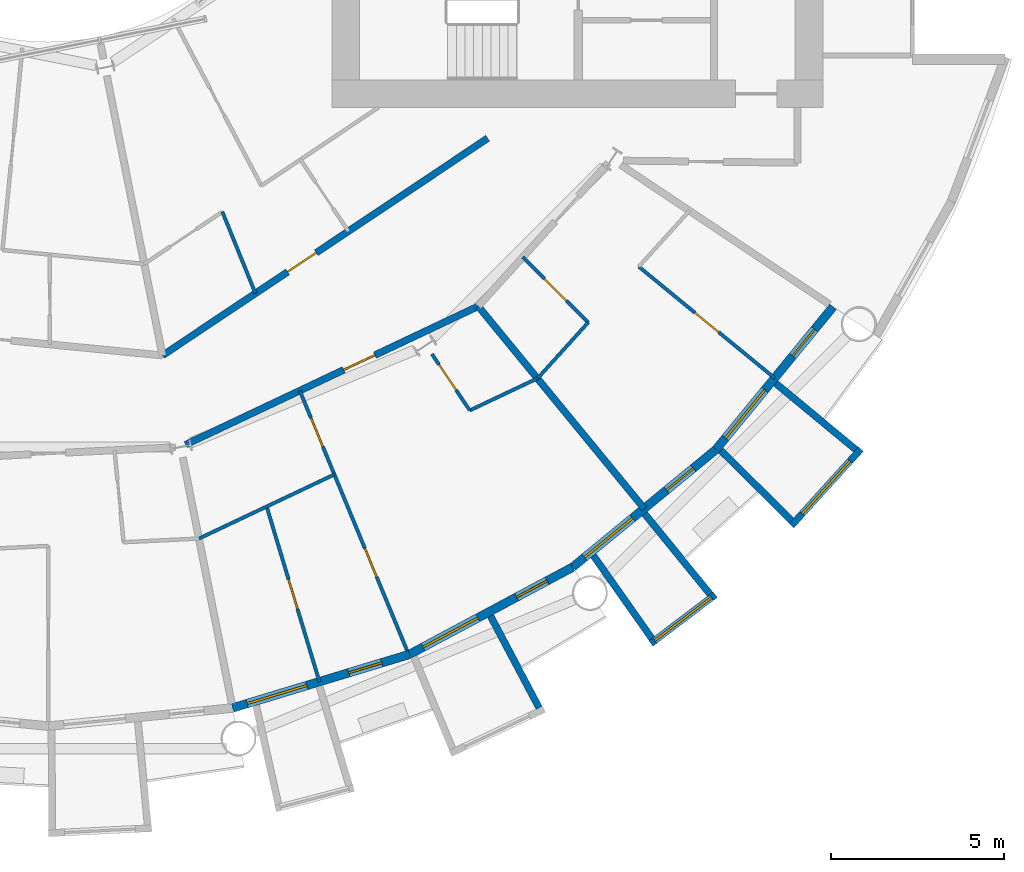
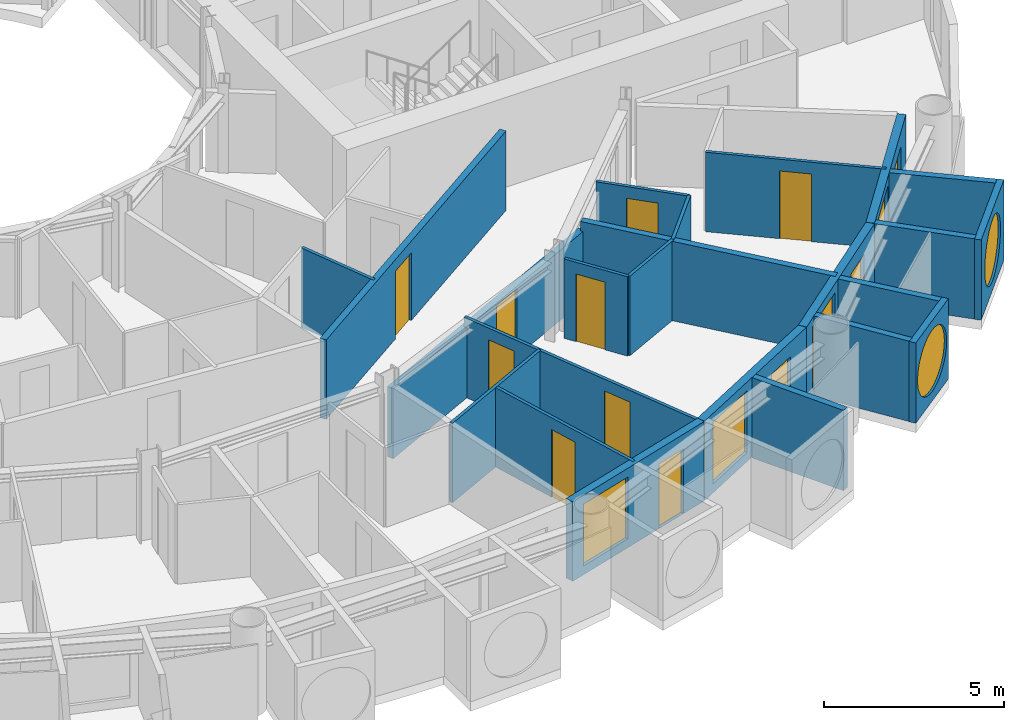
# One storey, part 16 of 26: 23 walls, 12 doors, 6 windows, 18 openings.
"""IFC4 building model written with IfcOpenShell, lengths in metres."""

from ifc_helpers import new_model, si_unit, direction, frame, frame_2d, origin, place, context, subcontext, project, spatial, rectangle, circle, extrude, material, layer, layer_set, type_object, element, fill, save


model = new_model("IFC4")

# Units and contexts
model_context = context("Model", 3, precision=1e-05, world=origin(), true_north=direction((0.0, 1.0)))
body_context = subcontext(model_context, "Body", "Model", "MODEL_VIEW")
ifc_project = project(units=[si_unit("LENGTHUNIT", "METRE"), si_unit("AREAUNIT", "SQUARE_METRE"), si_unit("VOLUMEUNIT", "CUBIC_METRE"), si_unit("PLANEANGLEUNIT", "RADIAN"), si_unit("MASSUNIT", "GRAM", prefix="KILO")], contexts=[model_context])

# Site, building, storey
site_placement = place(None, origin())
site = spatial("IfcSite", under=ifc_project, at=site_placement, CompositionType="ELEMENT")
building_placement = place(site_placement, origin())
building = spatial("IfcBuilding", under=site, at=building_placement, Name="Maasbend Ring Residences", CompositionType="ELEMENT")
storey_placement = place(building_placement, frame((0.0, 0.0, 25.85009765625)))
storey = spatial("IfcBuildingStorey", under=building, at=storey_placement, Name="L06", CompositionType="ELEMENT", Elevation=25.85009765625)

# Wall, opening, door
ifc_material_1 = material(Name="Concrete C30/37", Category="concrete")
ifc_layer_1 = layer(ifc_material_1, 0.199951171875)
ifc_layer_set_1 = layer_set([ifc_layer_1], Name="Concrete C30/37")
wall_type_1 = type_object("IfcWallType", Name="CORRIDOR WALL 200 CONCRETE", PredefinedType="PARTITIONING", material=ifc_layer_set_1)
wall_1_placement = place(storey_placement, frame((3.966064453125, -19.156005859375, 0.0), z_axis=(0.0, 0.0, 1.0), x_axis=(0.90398275529, 0.427568916244, 0.0)))
wall_1 = element("IfcWall", 1, at=wall_1_placement, inside=storey, type_object=wall_type_1, Name="U-L06-w017", PredefinedType="PARTITIONING", context=body_context, shape_type="SweptSolid", body=[
    extrude(rectangle(XDim=9.371826171875, YDim=0.199951171875, at=frame_2d((4.68603515625, 0.0))), origin(), (0.0, 0.0, 1.0), 2.3798828125),
])
opening_1_placement = place(wall_1_placement, frame((5.05810546875, 0.0, 0.0)))
opening_1 = element("IfcOpeningElement", 2, at=opening_1_placement, cuts=wall_1, Name="Opening D-0645", PredefinedType="OPENING", context=body_context, shape_type="SweptSolid", body=[
    extrude(rectangle(XDim=1.0, YDim=2.300048828125, at=frame_2d((0.5, 1.14990234375))), frame((0.0, 0.10986328125, 0.0), z_axis=(0.0, -1.0, 0.0), x_axis=(1.0, 0.0, 0.0)), (0.0, 0.0, 1.0), 0.219970703125),
])
ifc_material_2 = material(Name="Timber, fire-rated, painted", Category="wood")
door_type_1 = type_object("IfcDoorType", Name="FLAT ENTRANCE DOOR 1000 X 2300 FIRE-RATED", OperationType="NOTDEFINED", PredefinedType="DOOR", material=ifc_material_2)
door_1_placement = place(opening_1_placement, origin())
door_1 = element("IfcDoor", 3, at=door_1_placement, inside=storey, type_object=door_type_1, Name="D-0645", OperationType="SINGLE_SWING_RIGHT", OverallHeight=2.300048828125, OverallWidth=1.0, PredefinedType="DOOR", context=body_context, shape_type="SweptSolid", body=[
    extrude(rectangle(XDim=1.0, YDim=2.300048828125, at=frame_2d((0.5, 1.14990234375))), frame((0.0, 0.02490234375, 0.0), z_axis=(0.0, -1.0, 0.0), x_axis=(1.0, 0.0, 0.0)), (0.0, 0.0, 1.0), 0.050048828125),
])
fill(opening_1, door_1)

wall_2_placement = place(storey_placement, frame((3.297119140625, -16.574951171875, 0.0), z_axis=(0.0, 0.0, 1.0), x_axis=(0.83154870872, 0.55545183862, 0.0)))
wall_2 = element("IfcWall", 4, at=wall_2_placement, inside=storey, type_object=wall_type_1, Name="U-L06-w020", PredefinedType="PARTITIONING", context=body_context, shape_type="SweptSolid", body=[
    extrude(rectangle(XDim=11.31494140625, YDim=0.199951171875, at=frame_2d((5.657470703125, 0.0))), origin(), (0.0, 0.0, 1.0), 2.699951171875),
])
opening_2_placement = place(wall_2_placement, frame((4.35205078125, 0.0, 0.0)))
opening_2 = element("IfcOpeningElement", 5, at=opening_2_placement, cuts=wall_2, Name="Opening D-0661", PredefinedType="OPENING", context=body_context, shape_type="SweptSolid", body=[
    extrude(rectangle(XDim=1.0, YDim=2.300048828125, at=frame_2d((0.5, 1.14990234375))), frame((0.0, 0.10986328125, 0.0), z_axis=(0.0, -1.0, 0.0), x_axis=(1.0, 0.0, 0.0)), (0.0, 0.0, 1.0), 0.219970703125),
])
door_2_placement = place(opening_2_placement, origin())
door_2 = element("IfcDoor", 6, at=door_2_placement, inside=storey, type_object=door_type_1, Name="D-0661", OperationType="SINGLE_SWING_LEFT", OverallHeight=2.300048828125, OverallWidth=1.0, PredefinedType="DOOR", context=body_context, shape_type="SweptSolid", body=[
    extrude(rectangle(XDim=1.0, YDim=2.300048828125, at=frame_2d((0.5, 1.14990234375))), frame((0.0, 0.02490234375, 0.0), z_axis=(0.0, -1.0, 0.0), x_axis=(1.0, 0.0, 0.0)), (0.0, 0.0, 1.0), 0.050048828125),
])
fill(opening_2, door_2)

# Wall
ifc_material_3 = material(Name="Pale anodised aluminium panel", Category="aluminium")
ifc_layer_2 = layer(ifc_material_3, 0.199951171875)
ifc_layer_set_2 = layer_set([ifc_layer_2], Name="EW-BOX")
wall_type_2 = type_object("IfcWallType", Name="EW-BOX", PredefinedType="SOLIDWALL", material=ifc_layer_set_2)
wall_3_placement = place(storey_placement, frame((12.787109375, -24.113037109375, -0.030029296875), z_axis=(0.0, 0.0, 1.0), x_axis=(0.468365282436, -0.883534924159, 0.0)))
element("IfcWall", 7, at=wall_3_placement, inside=storey, type_object=wall_type_2, Name="Box side wall S15 right", PredefinedType="SOLIDWALL", context=body_context, shape_type="SweptSolid", body=[
    extrude(rectangle(XDim=3.006103515625, YDim=0.199951171875, at=frame_2d((1.5029296875, 0.0))), origin(), (0.0, 0.0, 1.0), 2.72998046875),
])

# Wall, opening, window
wall_4_placement = place(storey_placement, frame((17.427001953125, -24.908935546875, -0.030029296875), z_axis=(0.0, 0.0, 1.0), x_axis=(0.796842165306, 0.60418752353, 0.0)))
wall_4 = element("IfcWall", 8, at=wall_4_placement, inside=storey, type_object=wall_type_2, Name="Box front S17", PredefinedType="SOLIDWALL", context=body_context, shape_type="SweptSolid", body=[
    extrude(rectangle(XDim=2.3369140625, YDim=0.199951171875, at=frame_2d((1.16845703125, 0.0))), origin(), (0.0, 0.0, 1.0), 2.72998046875),
])
opening_3_placement = place(wall_4_placement, frame((0.128173828125, 0.0, 0.330078125)))
opening_3 = element("IfcOpeningElement", 9, at=opening_3_placement, cuts=wall_4, Name="Opening W-RD", PredefinedType="OPENING", context=body_context, shape_type="SweptSolid", body=[
    extrude(circle(Radius=1.0400390625, at=frame_2d((1.0400390625, 1.0400390625))), frame((0.0, 0.10986328125, 0.0), z_axis=(0.0, -1.0, 0.0), x_axis=(1.0, 0.0, 0.0)), (0.0, 0.0, 1.0), 0.219970703125),
])
ifc_material_4 = material(Name="Aluminium and clear glass", Category="aluminium")
window_type_1 = type_object("IfcWindowType", Name="W-RD", PartitioningType="SINGLE_PANEL", PredefinedType="WINDOW", material=ifc_material_4)
window_1_placement = place(opening_3_placement, origin())
window_1 = element("IfcWindow", 10, at=window_1_placement, inside=storey, type_object=window_type_1, Name="Round window S17", OverallHeight=2.080078125, OverallWidth=2.080078125, PartitioningType="SINGLE_PANEL", PredefinedType="WINDOW", context=body_context, shape_type="SweptSolid", body=[
    extrude(circle(Radius=1.0400390625, at=frame_2d((1.0400390625, 1.0400390625))), frame((0.0, 0.030029296875, 0.0), z_axis=(0.0, -1.0, 0.0), x_axis=(1.0, 0.0, 0.0)), (0.0, 0.0, 1.0), 0.06005859375),
])
fill(opening_3, window_1)

# Walls
wall_5_placement = place(storey_placement, frame((15.764892578125, -22.3701171875, -0.030029296875), z_axis=(0.0, 0.0, 1.0), x_axis=(0.576274612209, -0.817256123454, 0.0)))
element("IfcWall", 11, at=wall_5_placement, inside=storey, type_object=wall_type_2, Name="Box side wall S17 left", PredefinedType="SOLIDWALL", context=body_context, shape_type="SweptSolid", body=[
    extrude(rectangle(XDim=2.932861328125, YDim=0.199951171875, at=frame_2d((1.46630859375, 0.0))), origin(), (0.0, 0.0, 1.0), 2.72998046875),
])
wall_6_placement = place(storey_placement, frame((17.24609375, -21.155029296875, -0.030029296875), z_axis=(0.0, 0.0, 1.0), x_axis=(0.631741648902, -0.775179004516, 0.0)))
element("IfcWall", 12, at=wall_6_placement, inside=storey, type_object=wall_type_2, Name="Box side wall S17 right", PredefinedType="SOLIDWALL", context=body_context, shape_type="SweptSolid", body=[
    extrude(rectangle(XDim=3.005859375, YDim=0.199951171875, at=frame_2d((1.5029296875, 0.0))), origin(), (0.0, 0.0, 1.0), 2.72998046875),
])

# Wall, opening, window
wall_7_placement = place(storey_placement, frame((21.492919921875, -21.5, -0.030029296875), z_axis=(0.0, 0.0, 1.0), x_axis=(0.671506829416, 0.740998365753, 0.0)))
wall_7 = element("IfcWall", 13, at=wall_7_placement, inside=storey, type_object=wall_type_2, Name="Box front S19", PredefinedType="SOLIDWALL", context=body_context, shape_type="SweptSolid", body=[
    extrude(rectangle(XDim=2.9931640625, YDim=0.199951171875, at=frame_2d((1.49658203125, 0.0))), origin(), (0.0, 0.0, 1.0), 2.72998046875),
])
opening_4_placement = place(wall_7_placement, frame((0.45654296875, 0.0, 0.330078125)))
opening_4 = element("IfcOpeningElement", 14, at=opening_4_placement, cuts=wall_7, Name="Opening W-RD", PredefinedType="OPENING", context=body_context, shape_type="SweptSolid", body=[
    extrude(circle(Radius=1.0400390625, at=frame_2d((1.0400390625, 1.0400390625))), frame((0.0, 0.10986328125, 0.0), z_axis=(0.0, -1.0, 0.0), x_axis=(1.0, 0.0, 0.0)), (0.0, 0.0, 1.0), 0.219970703125),
])
window_2_placement = place(opening_4_placement, origin())
window_2 = element("IfcWindow", 15, at=window_2_placement, inside=storey, type_object=window_type_1, Name="Round window S19", OverallHeight=2.080078125, OverallWidth=2.080078125, PartitioningType="SINGLE_PANEL", PredefinedType="WINDOW", context=body_context, shape_type="SweptSolid", body=[
    extrude(circle(Radius=1.0400390625, at=frame_2d((1.0400390625, 1.0400390625))), frame((0.0, 0.030029296875, 0.0), z_axis=(0.0, -1.0, 0.0), x_axis=(1.0, 0.0, 0.0)), (0.0, 0.0, 1.0), 0.06005859375),
])
fill(opening_4, window_2)

# Walls
wall_8_placement = place(storey_placement, frame((19.449951171875, -19.322998046875, -0.030029296875), z_axis=(0.0, 0.0, 1.0), x_axis=(0.709727076896, -0.704476739375, 0.0)))
element("IfcWall", 16, at=wall_8_placement, inside=storey, type_object=wall_type_2, Name="Box side wall S19 left", PredefinedType="SOLIDWALL", context=body_context, shape_type="SweptSolid", body=[
    extrude(rectangle(XDim=2.883056640625, YDim=0.199951171875, at=frame_2d((1.44140625, 0.0))), origin(), (0.0, 0.0, 1.0), 2.72998046875),
])
wall_9_placement = place(storey_placement, frame((21.041015625, -17.384033203125, -0.030029296875), z_axis=(0.0, 0.0, 1.0), x_axis=(0.770784861449, -0.63709551667, 0.0)))
element("IfcWall", 17, at=wall_9_placement, inside=storey, type_object=wall_type_2, Name="Box side wall S19 right", PredefinedType="SOLIDWALL", context=body_context, shape_type="SweptSolid", body=[
    extrude(rectangle(XDim=3.005859375, YDim=0.199951171875, at=frame_2d((1.5029296875, 0.0))), origin(), (0.0, 0.0, 1.0), 2.72998046875),
])

# Wall, openings, door, window
ifc_material_5 = material(Name="Aluminium clad insulated panel", Category="aluminium")
ifc_layer_3 = layer(ifc_material_5, 0.25)
ifc_layer_set_3 = layer_set([ifc_layer_3], Name="EW-GL")
wall_type_3 = type_object("IfcWallType", Name="EW-GL", PredefinedType="SOLIDWALL", material=ifc_layer_set_3)
wall_10_placement = place(storey_placement, frame((5.325927734375, -26.77490234375, 0.0), z_axis=(0.0, 0.0, 1.0), x_axis=(0.956965678721, 0.290201119486, 0.0)))
wall_10 = element("IfcWall", 18, at=wall_10_placement, inside=storey, type_object=wall_type_3, Name="External wall S07", PredefinedType="SOLIDWALL", context=body_context, shape_type="SweptSolid", body=[
    extrude(rectangle(XDim=5.351318359375, YDim=0.25, at=frame_2d((2.67578125, 0.0))), origin(), (0.0, 0.0, 1.0), 2.699951171875),
])
opening_5_placement = place(wall_10_placement, frame((0.441162109375, 0.0, 0.300048828125)))
opening_5 = element("IfcOpeningElement", 19, at=opening_5_placement, cuts=wall_10, Name="Opening W-BX", PredefinedType="OPENING", context=body_context, shape_type="SweptSolid", body=[
    extrude(rectangle(XDim=1.800048828125, YDim=2.10009765625, at=frame_2d((0.89990234375, 1.050048828125))), frame((0.0, 0.135009765625, 0.0), z_axis=(0.0, -1.0, 0.0), x_axis=(1.0, 0.0, 0.0)), (0.0, 0.0, 1.0), 0.27001953125),
])
opening_6_placement = place(wall_10_placement, frame((3.510498046875, 0.0, 0.0)))
opening_6 = element("IfcOpeningElement", 20, at=opening_6_placement, cuts=wall_10, Name="Opening D-LG", PredefinedType="OPENING", context=body_context, shape_type="SweptSolid", body=[
    extrude(rectangle(XDim=1.0, YDim=2.199951171875, at=frame_2d((0.5, 1.10009765625))), frame((0.0, 0.135009765625, 0.0), z_axis=(0.0, -1.0, 0.0), x_axis=(1.0, 0.0, 0.0)), (0.0, 0.0, 1.0), 0.27001953125),
])
ifc_material_6 = material(Name="Aluminium and clear glass", Category="aluminium")
door_type_2 = type_object("IfcDoorType", Name="D-LG", OperationType="SINGLE_SWING_LEFT", PredefinedType="DOOR", material=ifc_material_6)
door_3_placement = place(opening_6_placement, origin())
door_3 = element("IfcDoor", 21, at=door_3_placement, inside=storey, type_object=door_type_2, Name="Loggia door S14", OperationType="SINGLE_SWING_LEFT", OverallHeight=2.199951171875, OverallWidth=1.0, PredefinedType="DOOR", context=body_context, shape_type="SweptSolid", body=[
    extrude(rectangle(XDim=1.0, YDim=2.199951171875, at=frame_2d((0.5, 1.10009765625))), frame((0.0, 0.02490234375, 0.0), z_axis=(0.0, -1.0, 0.0), x_axis=(1.0, 0.0, 0.0)), (0.0, 0.0, 1.0), 0.050048828125),
])
fill(opening_6, door_3)
ifc_material_7 = material(Name="Aluminium and clear glass", Category="aluminium")
window_type_2 = type_object("IfcWindowType", Name="W-BX", PartitioningType="DOUBLE_PANEL_VERTICAL", PredefinedType="WINDOW", material=ifc_material_7)
window_3_placement = place(opening_5_placement, origin())
window_3 = element("IfcWindow", 22, at=window_3_placement, inside=storey, type_object=window_type_2, Name="Window S13 room to box", OverallHeight=2.10009765625, OverallWidth=1.800048828125, PartitioningType="SINGLE_PANEL", PredefinedType="WINDOW", context=body_context, shape_type="SweptSolid", body=[
    extrude(rectangle(XDim=1.800048828125, YDim=2.10009765625, at=frame_2d((0.89990234375, 1.050048828125))), frame((0.0, 0.030029296875, 0.0), z_axis=(0.0, -1.0, 0.0), x_axis=(1.0, 0.0, 0.0)), (0.0, 0.0, 1.0), 0.06005859375),
])
fill(opening_5, window_3)

wall_11_placement = place(storey_placement, frame((10.447021484375, -25.221923828125, 0.0), z_axis=(0.0, 0.0, 1.0), x_axis=(0.881915646801, 0.471407246368, 0.0)))
wall_11 = element("IfcWall", 23, at=wall_11_placement, inside=storey, type_object=wall_type_3, Name="External wall S08", PredefinedType="SOLIDWALL", context=body_context, shape_type="SweptSolid", body=[
    extrude(rectangle(XDim=5.35205078125, YDim=0.25, at=frame_2d((2.676025390625, 0.0))), origin(), (0.0, 0.0, 1.0), 2.699951171875),
])
opening_7_placement = place(wall_11_placement, frame((0.441162109375, 0.0, 0.300048828125)))
opening_7 = element("IfcOpeningElement", 24, at=opening_7_placement, cuts=wall_11, Name="Opening W-BX", PredefinedType="OPENING", context=body_context, shape_type="SweptSolid", body=[
    extrude(rectangle(XDim=1.800048828125, YDim=2.10009765625, at=frame_2d((0.89990234375, 1.050048828125))), frame((0.0, 0.135009765625, 0.0), z_axis=(0.0, -1.0, 0.0), x_axis=(1.0, 0.0, 0.0)), (0.0, 0.0, 1.0), 0.27001953125),
])
opening_8_placement = place(wall_11_placement, frame((3.510498046875, 0.0, 0.0)))
opening_8 = element("IfcOpeningElement", 25, at=opening_8_placement, cuts=wall_11, Name="Opening D-LG", PredefinedType="OPENING", context=body_context, shape_type="SweptSolid", body=[
    extrude(rectangle(XDim=1.0, YDim=2.199951171875, at=frame_2d((0.5, 1.10009765625))), frame((0.0, 0.135009765625, 0.0), z_axis=(0.0, -1.0, 0.0), x_axis=(1.0, 0.0, 0.0)), (0.0, 0.0, 1.0), 0.27001953125),
])
door_4_placement = place(opening_8_placement, origin())
door_4 = element("IfcDoor", 26, at=door_4_placement, inside=storey, type_object=door_type_2, Name="Loggia door S16", OperationType="SINGLE_SWING_LEFT", OverallHeight=2.199951171875, OverallWidth=1.0, PredefinedType="DOOR", context=body_context, shape_type="SweptSolid", body=[
    extrude(rectangle(XDim=1.0, YDim=2.199951171875, at=frame_2d((0.5, 1.10009765625))), frame((0.0, 0.02490234375, 0.0), z_axis=(0.0, -1.0, 0.0), x_axis=(1.0, 0.0, 0.0)), (0.0, 0.0, 1.0), 0.050048828125),
])
fill(opening_8, door_4)
window_4_placement = place(opening_7_placement, origin())
window_4 = element("IfcWindow", 27, at=window_4_placement, inside=storey, type_object=window_type_2, Name="Window S15 room to box", OverallHeight=2.10009765625, OverallWidth=1.800048828125, PartitioningType="SINGLE_PANEL", PredefinedType="WINDOW", context=body_context, shape_type="SweptSolid", body=[
    extrude(rectangle(XDim=1.800048828125, YDim=2.10009765625, at=frame_2d((0.89990234375, 1.050048828125))), frame((0.0, 0.030029296875, 0.0), z_axis=(0.0, -1.0, 0.0), x_axis=(1.0, 0.0, 0.0)), (0.0, 0.0, 1.0), 0.06005859375),
])
fill(opening_7, window_4)

wall_12_placement = place(storey_placement, frame((15.1669921875, -22.698974609375, 0.0), z_axis=(0.0, 0.0, 1.0), x_axis=(0.773019449054, 0.634382322723, 0.0)))
wall_12 = element("IfcWall", 28, at=wall_12_placement, inside=storey, type_object=wall_type_3, Name="External wall S09", PredefinedType="SOLIDWALL", context=body_context, shape_type="SweptSolid", body=[
    extrude(rectangle(XDim=5.351806640625, YDim=0.25, at=frame_2d((2.67578125, 0.0))), origin(), (0.0, 0.0, 1.0), 2.699951171875),
])
opening_9_placement = place(wall_12_placement, frame((0.441162109375, 0.0, 0.300048828125)))
opening_9 = element("IfcOpeningElement", 29, at=opening_9_placement, cuts=wall_12, Name="Opening W-BX", PredefinedType="OPENING", context=body_context, shape_type="SweptSolid", body=[
    extrude(rectangle(XDim=1.800048828125, YDim=2.10009765625, at=frame_2d((0.89990234375, 1.050048828125))), frame((0.0, 0.135009765625, 0.0), z_axis=(0.0, -1.0, 0.0), x_axis=(1.0, 0.0, 0.0)), (0.0, 0.0, 1.0), 0.27001953125),
])
opening_10_placement = place(wall_12_placement, frame((3.510498046875, 0.0, 0.0)))
opening_10 = element("IfcOpeningElement", 30, at=opening_10_placement, cuts=wall_12, Name="Opening D-LG", PredefinedType="OPENING", context=body_context, shape_type="SweptSolid", body=[
    extrude(rectangle(XDim=1.0, YDim=2.199951171875, at=frame_2d((0.5, 1.10009765625))), frame((0.0, 0.135009765625, 0.0), z_axis=(0.0, -1.0, 0.0), x_axis=(1.0, 0.0, 0.0)), (0.0, 0.0, 1.0), 0.27001953125),
])
door_5_placement = place(opening_10_placement, origin())
door_5 = element("IfcDoor", 31, at=door_5_placement, inside=storey, type_object=door_type_2, Name="Loggia door S18", OperationType="SINGLE_SWING_LEFT", OverallHeight=2.199951171875, OverallWidth=1.0, PredefinedType="DOOR", context=body_context, shape_type="SweptSolid", body=[
    extrude(rectangle(XDim=1.0, YDim=2.199951171875, at=frame_2d((0.5, 1.10009765625))), frame((0.0, 0.02490234375, 0.0), z_axis=(0.0, -1.0, 0.0), x_axis=(1.0, 0.0, 0.0)), (0.0, 0.0, 1.0), 0.050048828125),
])
fill(opening_10, door_5)
window_5_placement = place(opening_9_placement, origin())
window_5 = element("IfcWindow", 32, at=window_5_placement, inside=storey, type_object=window_type_2, Name="Window S17 room to box", OverallHeight=2.10009765625, OverallWidth=1.800048828125, PartitioningType="SINGLE_PANEL", PredefinedType="WINDOW", context=body_context, shape_type="SweptSolid", body=[
    extrude(rectangle(XDim=1.800048828125, YDim=2.10009765625, at=frame_2d((0.89990234375, 1.050048828125))), frame((0.0, 0.030029296875, 0.0), z_axis=(0.0, -1.0, 0.0), x_axis=(1.0, 0.0, 0.0)), (0.0, 0.0, 1.0), 0.06005859375),
])
fill(opening_9, window_5)

wall_13_placement = place(storey_placement, frame((19.303955078125, -19.303955078125, 0.0), z_axis=(0.0, 0.0, 1.0), x_axis=(0.634382322723, 0.773019449054, 0.0)))
wall_13 = element("IfcWall", 33, at=wall_13_placement, inside=storey, type_object=wall_type_3, Name="External wall S10", PredefinedType="SOLIDWALL", context=body_context, shape_type="SweptSolid", body=[
    extrude(rectangle(XDim=5.351806640625, YDim=0.25, at=frame_2d((2.67578125, 0.0))), origin(), (0.0, 0.0, 1.0), 2.699951171875),
])
opening_11_placement = place(wall_13_placement, frame((0.441162109375, 0.0, 0.300048828125)))
opening_11 = element("IfcOpeningElement", 34, at=opening_11_placement, cuts=wall_13, Name="Opening W-BX", PredefinedType="OPENING", context=body_context, shape_type="SweptSolid", body=[
    extrude(rectangle(XDim=1.800048828125, YDim=2.10009765625, at=frame_2d((0.89990234375, 1.050048828125))), frame((0.0, 0.135009765625, 0.0), z_axis=(0.0, -1.0, 0.0), x_axis=(1.0, 0.0, 0.0)), (0.0, 0.0, 1.0), 0.27001953125),
])
opening_12_placement = place(wall_13_placement, frame((3.510498046875, 0.0, 0.0)))
opening_12 = element("IfcOpeningElement", 35, at=opening_12_placement, cuts=wall_13, Name="Opening D-LG", PredefinedType="OPENING", context=body_context, shape_type="SweptSolid", body=[
    extrude(rectangle(XDim=1.0, YDim=2.199951171875, at=frame_2d((0.5, 1.10009765625))), frame((0.0, 0.135009765625, 0.0), z_axis=(0.0, -1.0, 0.0), x_axis=(1.0, 0.0, 0.0)), (0.0, 0.0, 1.0), 0.27001953125),
])
door_6_placement = place(opening_12_placement, origin())
door_6 = element("IfcDoor", 36, at=door_6_placement, inside=storey, type_object=door_type_2, Name="Loggia door S20", OperationType="SINGLE_SWING_LEFT", OverallHeight=2.199951171875, OverallWidth=1.0, PredefinedType="DOOR", context=body_context, shape_type="SweptSolid", body=[
    extrude(rectangle(XDim=1.0, YDim=2.199951171875, at=frame_2d((0.5, 1.10009765625))), frame((0.0, 0.02490234375, 0.0), z_axis=(0.0, -1.0, 0.0), x_axis=(1.0, 0.0, 0.0)), (0.0, 0.0, 1.0), 0.050048828125),
])
fill(opening_12, door_6)
window_6_placement = place(opening_11_placement, origin())
window_6 = element("IfcWindow", 37, at=window_6_placement, inside=storey, type_object=window_type_2, Name="Window S19 room to box", OverallHeight=2.10009765625, OverallWidth=1.800048828125, PartitioningType="SINGLE_PANEL", PredefinedType="WINDOW", context=body_context, shape_type="SweptSolid", body=[
    extrude(rectangle(XDim=1.800048828125, YDim=2.10009765625, at=frame_2d((0.89990234375, 1.050048828125))), frame((0.0, 0.030029296875, 0.0), z_axis=(0.0, -1.0, 0.0), x_axis=(1.0, 0.0, 0.0)), (0.0, 0.0, 1.0), 0.06005859375),
])
fill(opening_11, window_6)

# Walls
ifc_material_8 = material(Name="Gypsum board on steel studs", Category="steel")
ifc_layer_4 = layer(ifc_material_8, 0.10009765625)
ifc_layer_set_4 = layer_set([ifc_layer_4], Name="PARTITION 100 GYPSUM")
wall_type_4 = type_object("IfcWallType", Name="PARTITION 100 GYPSUM", PredefinedType="PARTITIONING", material=ifc_layer_set_4)
wall_14_placement = place(storey_placement, frame((14.153076171875, -17.23388671875, 0.0), z_axis=(0.0, 0.0, 1.0), x_axis=(0.671144831591, 0.741326254107, 0.0)))
element("IfcWall", 38, at=wall_14_placement, inside=storey, type_object=wall_type_4, Name="U-L06-w003", PredefinedType="PARTITIONING", context=body_context, shape_type="SweptSolid", body=[
    extrude(rectangle(XDim=2.18115234375, YDim=0.10009765625, at=frame_2d((1.090576171875, 0.0))), origin(), (0.0, 0.0, 1.0), 2.699951171875),
])
wall_15_placement = place(storey_placement, frame((4.35205078125, -21.873046875, 0.0), z_axis=(0.0, 0.0, 1.0), x_axis=(0.903905215872, 0.427732814639, 0.0)))
element("IfcWall", 39, at=wall_15_placement, inside=storey, type_object=wall_type_4, Name="U-L06-w011", PredefinedType="PARTITIONING", context=body_context, shape_type="SweptSolid", body=[
    extrude(rectangle(XDim=4.33447265625, YDim=0.10009765625, at=frame_2d((2.167236328125, 0.0))), origin(), (0.0, 0.0, 1.0), 2.699951171875),
])
wall_16_placement = place(storey_placement, frame((12.18798828125, -18.1650390625, 0.0), z_axis=(0.0, 0.0, 1.0), x_axis=(0.903905215872, 0.427732814639, 0.0)))
element("IfcWall", 40, at=wall_16_placement, inside=storey, type_object=wall_type_4, Name="U-L06-w012", PredefinedType="PARTITIONING", context=body_context, shape_type="SweptSolid", body=[
    extrude(rectangle(XDim=2.167236328125, YDim=0.10009765625, at=frame_2d((1.08349609375, 0.0))), origin(), (0.0, 0.0, 1.0), 2.699951171875),
])
wall_17_placement = place(storey_placement, frame((5.029052734375, -12.41796875, 0.0), z_axis=(0.0, 0.0, 1.0), x_axis=(0.375649498413, -0.926761811008, 0.0)))
element("IfcWall", 41, at=wall_17_placement, inside=storey, type_object=wall_type_4, Name="U-L06-w077", PredefinedType="PARTITIONING", context=body_context, shape_type="SweptSolid", body=[
    extrude(rectangle(XDim=2.547607421875, YDim=0.10009765625, at=frame_2d((1.27392578125, 0.0))), origin(), (0.0, 0.0, 1.0), 2.699951171875),
])

# Wall, opening, door
wall_18_placement = place(storey_placement, frame((6.31005859375, -20.945068359375, 0.0), z_axis=(0.0, 0.0, 1.0), x_axis=(0.288484435279, -0.957484585047, 0.0)))
wall_18 = element("IfcWall", 42, at=wall_18_placement, inside=storey, type_object=wall_type_4, Name="U-L06-w079", PredefinedType="PARTITIONING", context=body_context, shape_type="SweptSolid", body=[
    extrude(rectangle(XDim=5.30029296875, YDim=0.10009765625, at=frame_2d((2.650146484375, 0.0))), origin(), (0.0, 0.0, 1.0), 2.699951171875),
])
opening_13_placement = place(wall_18_placement, frame((2.199951171875, 0.0, 0.0)))
opening_13 = element("IfcOpeningElement", 43, at=opening_13_placement, cuts=wall_18, Name="Opening D-0649", PredefinedType="OPENING", context=body_context, shape_type="SweptSolid", body=[
    extrude(rectangle(XDim=0.89990234375, YDim=2.300048828125, at=frame_2d((0.449951171875, 1.14990234375))), frame((0.0, 0.06005859375, 0.0), z_axis=(0.0, -1.0, 0.0), x_axis=(1.0, 0.0, 0.0)), (0.0, 0.0, 1.0), 0.1201171875),
])
ifc_material_9 = material(Name="Timber, painted", Category="wood")
door_type_3 = type_object("IfcDoorType", Name="INTERNAL DOOR 900 X 2300", OperationType="NOTDEFINED", PredefinedType="DOOR", material=ifc_material_9)
door_7_placement = place(opening_13_placement, origin())
door_7 = element("IfcDoor", 44, at=door_7_placement, inside=storey, type_object=door_type_3, Name="D-0649", OperationType="SINGLE_SWING_RIGHT", OverallHeight=2.300048828125, OverallWidth=0.89990234375, PredefinedType="DOOR", context=body_context, shape_type="SweptSolid", body=[
    extrude(rectangle(XDim=0.89990234375, YDim=2.300048828125, at=frame_2d((0.449951171875, 1.14990234375))), frame((0.0, 0.02490234375, 0.0), z_axis=(0.0, -1.0, 0.0), x_axis=(1.0, 0.0, 0.0)), (0.0, 0.0, 1.0), 0.050048828125),
])
fill(opening_13, door_7)

# Wall, openings, doors
wall_19_placement = place(storey_placement, frame((7.26806640625, -17.593994140625, 0.0), z_axis=(0.0, 0.0, 1.0), x_axis=(0.381763497026, -0.924260045841, 0.0)))
wall_19 = element("IfcWall", 45, at=wall_19_placement, inside=storey, type_object=wall_type_4, Name="U-L06-w080", PredefinedType="PARTITIONING", context=body_context, shape_type="SweptSolid", body=[
    extrude(rectangle(XDim=8.138427734375, YDim=0.10009765625, at=frame_2d((4.0693359375, 0.0))), origin(), (0.0, 0.0, 1.0), 2.699951171875),
])
opening_14_placement = place(wall_19_placement, frame((0.861083984375, 0.0, 0.0)))
opening_14 = element("IfcOpeningElement", 46, at=opening_14_placement, cuts=wall_19, Name="Opening D-0647", PredefinedType="OPENING", context=body_context, shape_type="SweptSolid", body=[
    extrude(rectangle(XDim=0.89990234375, YDim=2.300048828125, at=frame_2d((0.449951171875, 1.14990234375))), frame((0.0, 0.06005859375, 0.0), z_axis=(0.0, -1.0, 0.0), x_axis=(1.0, 0.0, 0.0)), (0.0, 0.0, 1.0), 0.1201171875),
])
opening_15_placement = place(wall_19_placement, frame((4.929931640625, 0.0, 0.0)))
opening_15 = element("IfcOpeningElement", 47, at=opening_15_placement, cuts=wall_19, Name="Opening D-0648", PredefinedType="OPENING", context=body_context, shape_type="SweptSolid", body=[
    extrude(rectangle(XDim=0.89990234375, YDim=2.300048828125, at=frame_2d((0.449951171875, 1.14990234375))), frame((0.0, 0.06005859375, 0.0), z_axis=(0.0, -1.0, 0.0), x_axis=(1.0, 0.0, 0.0)), (0.0, 0.0, 1.0), 0.1201171875),
])
door_8_placement = place(opening_14_placement, origin())
door_8 = element("IfcDoor", 48, at=door_8_placement, inside=storey, type_object=door_type_3, Name="D-0647", OperationType="SINGLE_SWING_LEFT", OverallHeight=2.300048828125, OverallWidth=0.89990234375, PredefinedType="DOOR", context=body_context, shape_type="SweptSolid", body=[
    extrude(rectangle(XDim=0.89990234375, YDim=2.300048828125, at=frame_2d((0.449951171875, 1.14990234375))), frame((0.0, 0.02490234375, 0.0), z_axis=(0.0, -1.0, 0.0), x_axis=(1.0, 0.0, 0.0)), (0.0, 0.0, 1.0), 0.050048828125),
])
fill(opening_14, door_8)
door_9_placement = place(opening_15_placement, origin())
door_9 = element("IfcDoor", 49, at=door_9_placement, inside=storey, type_object=door_type_3, Name="D-0648", OperationType="SINGLE_SWING_RIGHT", OverallHeight=2.300048828125, OverallWidth=0.89990234375, PredefinedType="DOOR", context=body_context, shape_type="SweptSolid", body=[
    extrude(rectangle(XDim=0.89990234375, YDim=2.300048828125, at=frame_2d((0.449951171875, 1.14990234375))), frame((0.0, 0.02490234375, 0.0), z_axis=(0.0, -1.0, 0.0), x_axis=(1.0, 0.0, 0.0)), (0.0, 0.0, 1.0), 0.050048828125),
])
fill(opening_15, door_9)

# Wall, opening, door
wall_20_placement = place(storey_placement, frame((11.093017578125, -16.532958984375, 0.0), z_axis=(0.0, 0.0, 1.0), x_axis=(0.557134474719, -0.830422288405, 0.0)))
wall_20 = element("IfcWall", 50, at=wall_20_placement, inside=storey, type_object=wall_type_4, Name="U-L06-w085", PredefinedType="PARTITIONING", context=body_context, shape_type="SweptSolid", body=[
    extrude(rectangle(XDim=1.96533203125, YDim=0.10009765625, at=frame_2d((0.982666015625, 0.0))), origin(), (0.0, 0.0, 1.0), 2.699951171875),
])
opening_16_placement = place(wall_20_placement, frame((0.365966796875, 0.0, 0.0)))
opening_16 = element("IfcOpeningElement", 51, at=opening_16_placement, cuts=wall_20, Name="Opening D-0646", PredefinedType="OPENING", context=body_context, shape_type="SweptSolid", body=[
    extrude(rectangle(XDim=0.89990234375, YDim=2.300048828125, at=frame_2d((0.449951171875, 1.14990234375))), frame((0.0, 0.06005859375, 0.0), z_axis=(0.0, -1.0, 0.0), x_axis=(1.0, 0.0, 0.0)), (0.0, 0.0, 1.0), 0.1201171875),
])
door_10_placement = place(opening_16_placement, origin())
door_10 = element("IfcDoor", 52, at=door_10_placement, inside=storey, type_object=door_type_3, Name="D-0646", OperationType="SINGLE_SWING_LEFT", OverallHeight=2.300048828125, OverallWidth=0.89990234375, PredefinedType="DOOR", context=body_context, shape_type="SweptSolid", body=[
    extrude(rectangle(XDim=0.89990234375, YDim=2.300048828125, at=frame_2d((0.449951171875, 1.14990234375))), frame((0.0, 0.02490234375, 0.0), z_axis=(0.0, -1.0, 0.0), x_axis=(1.0, 0.0, 0.0)), (0.0, 0.0, 1.0), 0.050048828125),
])
fill(opening_16, door_10)

wall_21_placement = place(storey_placement, frame((13.722900390625, -13.72900390625, 0.0), z_axis=(0.0, 0.0, 1.0), x_axis=(0.706741540154, -0.707471833659, 0.0)))
wall_21 = element("IfcWall", 53, at=wall_21_placement, inside=storey, type_object=wall_type_4, Name="U-L06-w089", PredefinedType="PARTITIONING", context=body_context, shape_type="SweptSolid", body=[
    extrude(rectangle(XDim=2.67431640625, YDim=0.10009765625, at=frame_2d((1.337158203125, 0.0))), origin(), (0.0, 0.0, 1.0), 2.699951171875),
])
opening_17_placement = place(wall_21_placement, frame((0.886962890625, 0.0, 0.0)))
opening_17 = element("IfcOpeningElement", 54, at=opening_17_placement, cuts=wall_21, Name="Opening D-0651", PredefinedType="OPENING", context=body_context, shape_type="SweptSolid", body=[
    extrude(rectangle(XDim=0.89990234375, YDim=2.300048828125, at=frame_2d((0.449951171875, 1.14990234375))), frame((0.0, 0.06005859375, 0.0), z_axis=(0.0, -1.0, 0.0), x_axis=(1.0, 0.0, 0.0)), (0.0, 0.0, 1.0), 0.1201171875),
])
door_11_placement = place(opening_17_placement, origin())
door_11 = element("IfcDoor", 55, at=door_11_placement, inside=storey, type_object=door_type_3, Name="D-0651", OperationType="SINGLE_SWING_RIGHT", OverallHeight=2.300048828125, OverallWidth=0.89990234375, PredefinedType="DOOR", context=body_context, shape_type="SweptSolid", body=[
    extrude(rectangle(XDim=0.89990234375, YDim=2.300048828125, at=frame_2d((0.449951171875, 1.14990234375))), frame((0.0, 0.02490234375, 0.0), z_axis=(0.0, -1.0, 0.0), x_axis=(1.0, 0.0, 0.0)), (0.0, 0.0, 1.0), 0.050048828125),
])
fill(opening_17, door_11)

wall_22_placement = place(storey_placement, frame((17.076904296875, -14.006103515625, 0.0), z_axis=(0.0, 0.0, 1.0), x_axis=(0.77326214499, -0.634086472908, 0.0)))
wall_22 = element("IfcWall", 56, at=wall_22_placement, inside=storey, type_object=wall_type_4, Name="U-L06-w093", PredefinedType="PARTITIONING", context=body_context, shape_type="SweptSolid", body=[
    extrude(rectangle(XDim=5.0888671875, YDim=0.10009765625, at=frame_2d((2.54443359375, 0.0))), origin(), (0.0, 0.0, 1.0), 2.699951171875),
])
opening_18_placement = place(wall_22_placement, frame((2.093994140625, 0.0, 0.0)))
opening_18 = element("IfcOpeningElement", 57, at=opening_18_placement, cuts=wall_22, Name="Opening D-0652", PredefinedType="OPENING", context=body_context, shape_type="SweptSolid", body=[
    extrude(rectangle(XDim=0.89990234375, YDim=2.300048828125, at=frame_2d((0.449951171875, 1.14990234375))), frame((0.0, 0.06005859375, 0.0), z_axis=(0.0, -1.0, 0.0), x_axis=(1.0, 0.0, 0.0)), (0.0, 0.0, 1.0), 0.1201171875),
])
door_12_placement = place(opening_18_placement, origin())
door_12 = element("IfcDoor", 58, at=door_12_placement, inside=storey, type_object=door_type_3, Name="D-0652", OperationType="SINGLE_SWING_LEFT", OverallHeight=2.300048828125, OverallWidth=0.89990234375, PredefinedType="DOOR", context=body_context, shape_type="SweptSolid", body=[
    extrude(rectangle(XDim=0.89990234375, YDim=2.300048828125, at=frame_2d((0.449951171875, 1.14990234375))), frame((0.0, 0.02490234375, 0.0), z_axis=(0.0, -1.0, 0.0), x_axis=(1.0, 0.0, 0.0)), (0.0, 0.0, 1.0), 0.050048828125),
])
fill(opening_18, door_12)

# Wall
ifc_material_10 = material(Name="Concrete C30/37", Category="concrete")
ifc_layer_5 = layer(ifc_material_10, 0.199951171875)
ifc_layer_set_5 = layer_set([ifc_layer_5], Name="Concrete C30/37")
wall_type_5 = type_object("IfcWallType", Name="PARTY WALL 200 CONCRETE", PredefinedType="PARTITIONING", material=ifc_layer_set_5)
wall_23_placement = place(storey_placement, frame((12.431884765625, -15.152099609375, 0.0), z_axis=(0.0, 0.0, 1.0), x_axis=(0.634353152115, -0.77304338714, 0.0)))
element("IfcWall", 59, at=wall_23_placement, inside=storey, type_object=wall_type_5, Name="U-L06-w087", PredefinedType="PARTITIONING", context=body_context, shape_type="SweptSolid", body=[
    extrude(rectangle(XDim=7.576416015625, YDim=0.199951171875, at=frame_2d((3.7880859375, 0.0))), origin(), (0.0, 0.0, 1.0), 2.699951171875),
])

save(model, "model.ifc")
